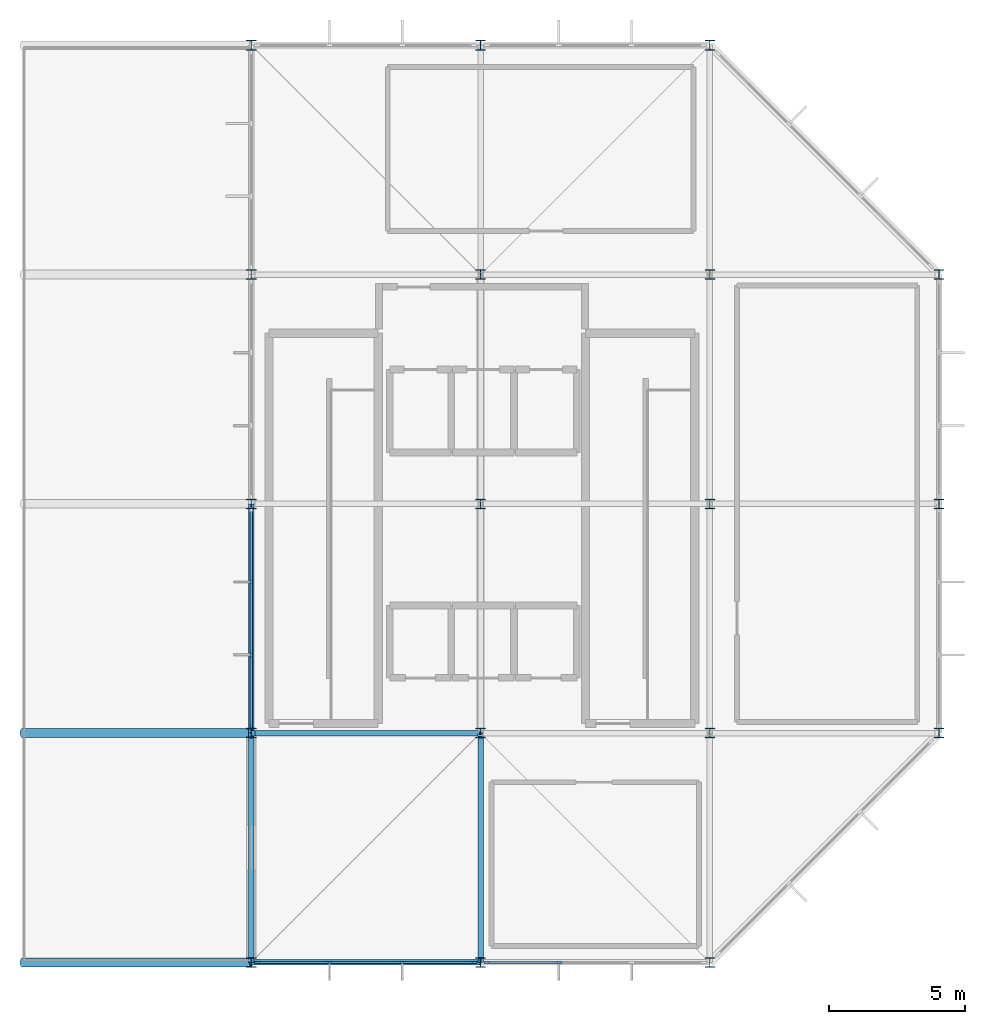
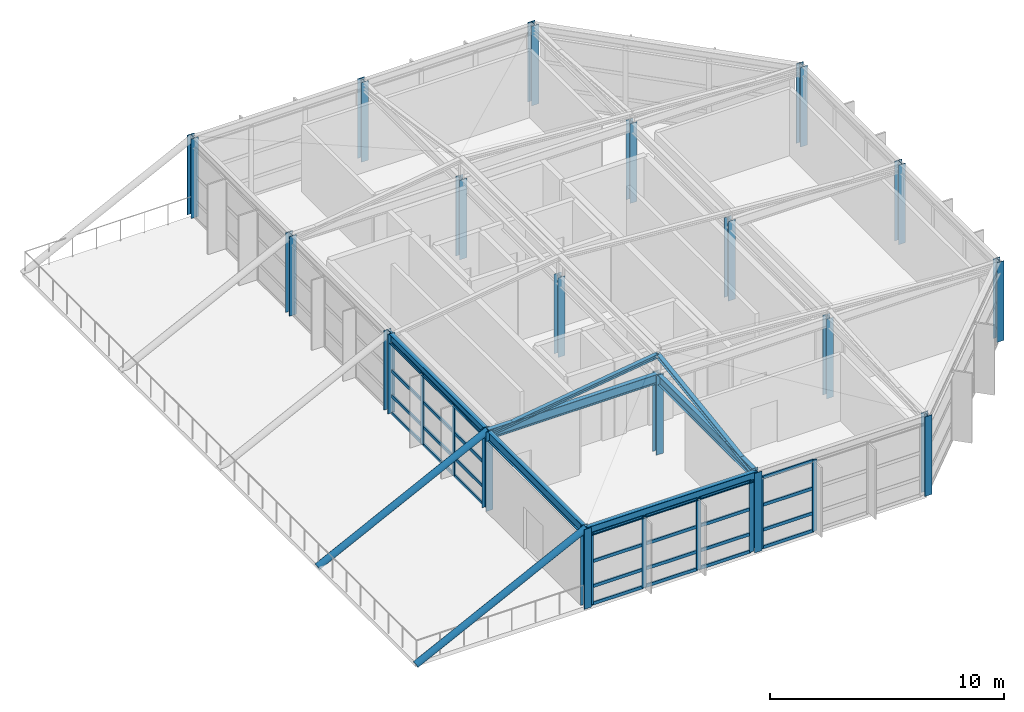
# One storey, part 1 of 9: 41 members, 18 columns, 5 beams, 3 elements without a shape of their own.
"""IFC4 building model written with IfcOpenShell, lengths in metres."""

from ifc_helpers import new_model, si_unit, direction, frame, origin, origin_2d, place, context, subcontext, project, spatial, rectangle, hollow_circle, i_section, extrude, material, material_profile, profile_set, type_object, element, aggregate, save


model = new_model("IFC4")

# Units and contexts
model_context = context("Model", 3, precision=1e-05, world=origin(), true_north=direction((0.0, 1.0)))
body_context = subcontext(model_context, "Body", "Model", "MODEL_VIEW")
ifc_project = project(units=[si_unit("LENGTHUNIT", "METRE"), si_unit("AREAUNIT", "SQUARE_METRE"), si_unit("VOLUMEUNIT", "CUBIC_METRE"), si_unit("PLANEANGLEUNIT", "RADIAN"), si_unit("MASSUNIT", "GRAM", prefix="KILO")], contexts=[model_context])

# Site, building, storey
site_placement = place(None, origin())
site = spatial("IfcSite", under=ifc_project, at=site_placement, CompositionType="ELEMENT")
building_placement = place(site_placement, origin())
building = spatial("IfcBuilding", under=site, at=building_placement, Name="Xuanlan Plaza Opera House", CompositionType="ELEMENT")
storey_placement = place(building_placement, frame((0.0, 0.0, 74.39990234375)))
storey = spatial("IfcBuildingStorey", under=building, at=storey_placement, Name="ROOF", CompositionType="ELEMENT", Elevation=74.39990234375)

# Columns
ifc_material_1 = material(Name="Steel Q355B", Category="steel")
ifc_material_profile_1 = material_profile(ifc_material_1, i_section(OverallWidth=0.35009765625, OverallDepth=0.35009765625, WebThickness=0.011962890625, FlangeThickness=0.01904296875, FilletRadius=0.02001953125, at=origin_2d()), Name="HW 350x350x12x19")
ifc_profile_set_1 = profile_set([ifc_material_profile_1], Name="Steel Q355B")
column_type = type_object("IfcColumnType", Name="STR-COL-C-15", PredefinedType="COLUMN", material=ifc_profile_set_1)
for number, where, z_axis, x_axis, name in (
    (1, (134.39990234375, 42.0, 0.0), (0.0, 0.0, 1.0), (1.0, 0.0, 0.0), "Crown Sky-Lantern Column ROOF 17-F"),
    (2, (134.39990234375, 50.39990234375, 0.0), (0.0, 0.0, 1.0), (1.0, 0.0, 0.0), "Crown Sky-Lantern Column ROOF 17-G"),
    (3, (134.39990234375, 58.800048828125, 0.0), (0.0, 0.0, 1.0), (1.0, 0.0, 0.0), "Crown Sky-Lantern Column ROOF 17-H"),
    (4, (134.39990234375, 67.199951171875, 0.0), (0.0, 0.0, 1.0), (1.0, 0.0, 0.0), "Crown Sky-Lantern Column ROOF 17-I"),
    (5, (134.39990234375, 75.60009765625, 0.0), (0.0, 0.0, 1.0), (1.0, 0.0, 0.0), "Crown Sky-Lantern Column ROOF 17-J"),
    (6, (142.800048828125, 42.0, 0.0), (0.0, 0.0, 1.0), (1.0, 0.0, 0.0), "Crown Sky-Lantern Column ROOF 18-F"),
    (7, (142.800048828125, 50.39990234375, 0.0), (0.0, 0.0, 1.0), (1.0, 0.0, 0.0), "Crown Sky-Lantern Column ROOF 18-G"),
    (8, (142.800048828125, 58.800048828125, 0.0), (0.0, 0.0, 1.0), (1.0, 0.0, 0.0), "Crown Sky-Lantern Column ROOF 18-H"),
    (9, (142.800048828125, 67.199951171875, 0.0), (0.0, 0.0, 1.0), (1.0, 0.0, 0.0), "Crown Sky-Lantern Column ROOF 18-I"),
    (10, (142.800048828125, 75.60009765625, 0.0), (0.0, 0.0, 1.0), (1.0, 0.0, 0.0), "Crown Sky-Lantern Column ROOF 18-J"),
    (11, (151.199951171875, 42.0, 0.0), (0.0, 0.0, 1.0), (1.0, 0.0, 0.0), "Crown Sky-Lantern Column ROOF 19-F"),
    (12, (151.199951171875, 50.39990234375, 0.0), (0.0, 0.0, 1.0), (1.0, 0.0, 0.0), "Crown Sky-Lantern Column ROOF 19-G"),
    (13, (151.199951171875, 58.800048828125, 0.0), (0.0, 0.0, 1.0), (1.0, 0.0, 0.0), "Crown Sky-Lantern Column ROOF 19-H"),
    (14, (151.199951171875, 67.199951171875, 0.0), (0.0, 0.0, 1.0), (1.0, 0.0, 0.0), "Crown Sky-Lantern Column ROOF 19-I"),
    (15, (151.199951171875, 75.60009765625, 0.0), (0.0, 0.0, 1.0), (1.0, 0.0, 0.0), "Crown Sky-Lantern Column ROOF 19-J"),
    (16, (159.60009765625, 50.39990234375, 0.0), (0.0, 0.0, 1.0), (1.0, 0.0, 0.0), "Crown Sky-Lantern Column ROOF 20-G"),
    (17, (159.60009765625, 58.800048828125, 0.0), (0.0, 0.0, 1.0), (1.0, 0.0, 0.0), "Crown Sky-Lantern Column ROOF 20-H"),
    (18, (159.60009765625, 67.199951171875, 0.0), (0.0, 0.0, 1.0), (1.0, 0.0, 0.0), "Crown Sky-Lantern Column ROOF 20-I"),
):
    element("IfcColumn", number, at=place(storey_placement, frame(where, z_axis=z_axis, x_axis=x_axis)), inside=storey, type_object=column_type, Name=name, PredefinedType="COLUMN", context=body_context, shape_type="SweptSolid", body=[
        extrude(i_section(OverallWidth=0.35009765625, OverallDepth=0.35009765625, WebThickness=0.011962890625, FlangeThickness=0.01904296875, FilletRadius=0.02001953125, at=origin_2d()), origin(), (0.0, 0.0, 1.0), 4.150146484375),
    ])

# Curtain wall, members
ifc_material_2 = material(Name="Anodised Aluminium 6063-T6 and Low-E Glass", Category="aluminium")
curtain_wall_type_1 = type_object("IfcCurtainWallType", Name="ENV-CW-CW-03", PredefinedType="USERDEFINED", material=ifc_material_2)
curtain_wall_1_placement = place(storey_placement, origin())
curtain_wall_1 = element("IfcCurtainWall", 19, at=curtain_wall_1_placement, inside=storey, type_object=curtain_wall_type_1, Name="Unitised Curtain Wall ROOF-001", ObjectType="UNITISED CURTAIN WALL", PredefinedType="USERDEFINED")
ifc_material_3 = material(Name="Anodised Aluminium 6063-T6", Category="aluminium")
ifc_material_profile_2 = material_profile(ifc_material_3, rectangle(XDim=0.080078125, YDim=0.219970703125, at=origin_2d()), Name="ALU-M 80x220")
ifc_profile_set_2 = profile_set([ifc_material_profile_2], Name="Anodised Aluminium 6063-T6")
member_type_1 = type_object("IfcMemberType", Name="ENV-CWM-04", PredefinedType="MULLION", material=ifc_profile_set_2)
member_1_placement = place(storey_placement, frame((134.635009765625, 42.0, 0.0), z_axis=(0.0, 0.0, 1.0), x_axis=(0.0, 1.0, 0.0)))
member_1 = element("IfcMember", 20, at=member_1_placement, type_object=member_type_1, Name="CW-03 mullion 1", PredefinedType="MULLION", context=body_context, shape_type="SweptSolid", body=[
    extrude(rectangle(XDim=0.080078125, YDim=0.219970703125, at=origin_2d()), origin(), (0.0, 0.0, 1.0), 3.72021484375),
])
member_2_placement = place(storey_placement, frame((137.264892578125, 42.0, 0.0), z_axis=(0.0, 0.0, 1.0), x_axis=(0.0, 1.0, 0.0)))
member_2 = element("IfcMember", 21, at=member_2_placement, type_object=member_type_1, Name="CW-03 mullion 2", PredefinedType="MULLION", context=body_context, shape_type="SweptSolid", body=[
    extrude(rectangle(XDim=0.080078125, YDim=0.219970703125, at=origin_2d()), origin(), (0.0, 0.0, 1.0), 3.72021484375),
])
member_3_placement = place(storey_placement, frame((139.93505859375, 42.0, 0.0), z_axis=(0.0, 0.0, 1.0), x_axis=(0.0, 1.0, 0.0)))
member_3 = element("IfcMember", 22, at=member_3_placement, type_object=member_type_1, Name="CW-03 mullion 3", PredefinedType="MULLION", context=body_context, shape_type="SweptSolid", body=[
    extrude(rectangle(XDim=0.080078125, YDim=0.219970703125, at=origin_2d()), origin(), (0.0, 0.0, 1.0), 3.72021484375),
])
member_4_placement = place(storey_placement, frame((142.56494140625, 42.0, 0.0), z_axis=(0.0, 0.0, 1.0), x_axis=(0.0, 1.0, 0.0)))
member_4 = element("IfcMember", 23, at=member_4_placement, type_object=member_type_1, Name="CW-03 mullion 4", PredefinedType="MULLION", context=body_context, shape_type="SweptSolid", body=[
    extrude(rectangle(XDim=0.080078125, YDim=0.219970703125, at=origin_2d()), origin(), (0.0, 0.0, 1.0), 3.72021484375),
])

curtain_wall_type_2 = type_object("IfcCurtainWallType", Name="ENV-CW-CW-04", PredefinedType="USERDEFINED", material=ifc_material_2)
curtain_wall_2_placement = place(storey_placement, origin())
curtain_wall_2 = element("IfcCurtainWall", 24, at=curtain_wall_2_placement, inside=storey, type_object=curtain_wall_type_2, Name="Unitised Curtain Wall ROOF-002", ObjectType="UNITISED CURTAIN WALL", PredefinedType="USERDEFINED")
member_5_placement = place(storey_placement, frame((143.034912109375, 42.0, 0.0), z_axis=(0.0, 0.0, 1.0), x_axis=(0.0, 1.0, 0.0)))
member_5 = element("IfcMember", 25, at=member_5_placement, type_object=member_type_1, Name="CW-04 mullion 1", PredefinedType="MULLION", context=body_context, shape_type="SweptSolid", body=[
    extrude(rectangle(XDim=0.080078125, YDim=0.219970703125, at=origin_2d()), origin(), (0.0, 0.0, 1.0), 3.72021484375),
])
member_6_placement = place(storey_placement, frame((145.6650390625, 42.0, 0.0), z_axis=(0.0, 0.0, 1.0), x_axis=(0.0, 1.0, 0.0)))
member_6 = element("IfcMember", 26, at=member_6_placement, type_object=member_type_1, Name="CW-04 mullion 2", PredefinedType="MULLION", context=body_context, shape_type="SweptSolid", body=[
    extrude(rectangle(XDim=0.080078125, YDim=0.219970703125, at=origin_2d()), origin(), (0.0, 0.0, 1.0), 3.72021484375),
])

curtain_wall_3_placement = place(storey_placement, origin())
curtain_wall_3 = element("IfcCurtainWall", 27, at=curtain_wall_3_placement, inside=storey, type_object=curtain_wall_type_1, Name="Unitised Curtain Wall ROOF-011", ObjectType="UNITISED CURTAIN WALL", PredefinedType="USERDEFINED")
member_7_placement = place(storey_placement, frame((134.39990234375, 55.93505859375, 0.0), z_axis=(0.0, 0.0, 1.0), x_axis=(1.0, 0.0, 0.0)))
member_7 = element("IfcMember", 28, at=member_7_placement, type_object=member_type_1, Name="CW-03 mullion 2", PredefinedType="MULLION", context=body_context, shape_type="SweptSolid", body=[
    extrude(rectangle(XDim=0.080078125, YDim=0.219970703125, at=origin_2d()), origin(), (0.0, 0.0, 1.0), 3.72021484375),
])
member_8_placement = place(storey_placement, frame((134.39990234375, 53.264892578125, 0.0), z_axis=(0.0, 0.0, 1.0), x_axis=(1.0, 0.0, 0.0)))
member_8 = element("IfcMember", 29, at=member_8_placement, type_object=member_type_1, Name="CW-03 mullion 3", PredefinedType="MULLION", context=body_context, shape_type="SweptSolid", body=[
    extrude(rectangle(XDim=0.080078125, YDim=0.219970703125, at=origin_2d()), origin(), (0.0, 0.0, 1.0), 3.72021484375),
])
member_9_placement = place(storey_placement, frame((134.39990234375, 50.635009765625, 0.0), z_axis=(0.0, 0.0, 1.0), x_axis=(1.0, 0.0, 0.0)))
member_9 = element("IfcMember", 30, at=member_9_placement, type_object=member_type_1, Name="CW-03 mullion 4", PredefinedType="MULLION", context=body_context, shape_type="SweptSolid", body=[
    extrude(rectangle(XDim=0.080078125, YDim=0.219970703125, at=origin_2d()), origin(), (0.0, 0.0, 1.0), 3.72021484375),
])

# Member
ifc_material_profile_3 = material_profile(ifc_material_3, rectangle(XDim=0.080078125, YDim=0.1650390625, at=origin_2d()), Name="ALU-T 80x165")
ifc_profile_set_3 = profile_set([ifc_material_profile_3], Name="Anodised Aluminium 6063-T6")
member_type_2 = type_object("IfcMemberType", Name="ENV-CWT-04", PredefinedType="USERDEFINED", material=ifc_profile_set_3)
member_10_placement = place(storey_placement, frame((134.675048828125, 42.0, 0.0400390625), z_axis=(1.0, 0.0, 0.0), x_axis=(0.0, 1.0, 0.0)))
member_10 = element("IfcMember", 31, at=member_10_placement, type_object=member_type_2, Name="CW-03 transom 1.1", ObjectType="TRANSOM", PredefinedType="USERDEFINED", context=body_context, shape_type="SweptSolid", body=[
    extrude(rectangle(XDim=0.080078125, YDim=0.1650390625, at=origin_2d()), origin(), (0.0, 0.0, 1.0), 2.550048828125),
])

member_11_placement = place(storey_placement, frame((134.675048828125, 42.0, 0.9501953125), z_axis=(1.0, 0.0, 0.0), x_axis=(0.0, 1.0, 0.0)))
member_11 = element("IfcMember", 32, at=member_11_placement, type_object=member_type_2, Name="CW-03 transom 1.2", ObjectType="TRANSOM", PredefinedType="USERDEFINED", context=body_context, shape_type="SweptSolid", body=[
    extrude(rectangle(XDim=0.080078125, YDim=0.1650390625, at=origin_2d()), origin(), (0.0, 0.0, 1.0), 2.550048828125),
])

member_12_placement = place(storey_placement, frame((134.675048828125, 42.0, 2.25), z_axis=(1.0, 0.0, 0.0), x_axis=(0.0, 1.0, 0.0)))
member_12 = element("IfcMember", 33, at=member_12_placement, type_object=member_type_2, Name="CW-03 transom 1.3", ObjectType="TRANSOM", PredefinedType="USERDEFINED", context=body_context, shape_type="SweptSolid", body=[
    extrude(rectangle(XDim=0.080078125, YDim=0.1650390625, at=origin_2d()), origin(), (0.0, 0.0, 1.0), 2.550048828125),
])

member_13_placement = place(storey_placement, frame((134.675048828125, 42.0, 3.68017578125), z_axis=(1.0, 0.0, 0.0), x_axis=(0.0, 1.0, 0.0)))
member_13 = element("IfcMember", 34, at=member_13_placement, type_object=member_type_2, Name="CW-03 transom 1.4", ObjectType="TRANSOM", PredefinedType="USERDEFINED", context=body_context, shape_type="SweptSolid", body=[
    extrude(rectangle(XDim=0.080078125, YDim=0.1650390625, at=origin_2d()), origin(), (0.0, 0.0, 1.0), 2.550048828125),
])

member_14_placement = place(storey_placement, frame((137.304931640625, 42.0, 0.0400390625), z_axis=(1.0, 0.0, 0.0), x_axis=(0.0, 1.0, 0.0)))
member_14 = element("IfcMember", 35, at=member_14_placement, type_object=member_type_2, Name="CW-03 transom 2.1", ObjectType="TRANSOM", PredefinedType="USERDEFINED", context=body_context, shape_type="SweptSolid", body=[
    extrude(rectangle(XDim=0.080078125, YDim=0.1650390625, at=origin_2d()), origin(), (0.0, 0.0, 1.0), 2.590087890625),
])

member_15_placement = place(storey_placement, frame((137.304931640625, 42.0, 0.9501953125), z_axis=(1.0, 0.0, 0.0), x_axis=(0.0, 1.0, 0.0)))
member_15 = element("IfcMember", 36, at=member_15_placement, type_object=member_type_2, Name="CW-03 transom 2.2", ObjectType="TRANSOM", PredefinedType="USERDEFINED", context=body_context, shape_type="SweptSolid", body=[
    extrude(rectangle(XDim=0.080078125, YDim=0.1650390625, at=origin_2d()), origin(), (0.0, 0.0, 1.0), 2.590087890625),
])

member_16_placement = place(storey_placement, frame((137.304931640625, 42.0, 2.25), z_axis=(1.0, 0.0, 0.0), x_axis=(0.0, 1.0, 0.0)))
member_16 = element("IfcMember", 37, at=member_16_placement, type_object=member_type_2, Name="CW-03 transom 2.3", ObjectType="TRANSOM", PredefinedType="USERDEFINED", context=body_context, shape_type="SweptSolid", body=[
    extrude(rectangle(XDim=0.080078125, YDim=0.1650390625, at=origin_2d()), origin(), (0.0, 0.0, 1.0), 2.590087890625),
])

member_17_placement = place(storey_placement, frame((137.304931640625, 42.0, 3.68017578125), z_axis=(1.0, 0.0, 0.0), x_axis=(0.0, 1.0, 0.0)))
member_17 = element("IfcMember", 38, at=member_17_placement, type_object=member_type_2, Name="CW-03 transom 2.4", ObjectType="TRANSOM", PredefinedType="USERDEFINED", context=body_context, shape_type="SweptSolid", body=[
    extrude(rectangle(XDim=0.080078125, YDim=0.1650390625, at=origin_2d()), origin(), (0.0, 0.0, 1.0), 2.590087890625),
])

member_18_placement = place(storey_placement, frame((139.97509765625, 42.0, 0.0400390625), z_axis=(1.0, 0.0, 0.0), x_axis=(0.0, 1.0, 0.0)))
member_18 = element("IfcMember", 39, at=member_18_placement, type_object=member_type_2, Name="CW-03 transom 3.1", ObjectType="TRANSOM", PredefinedType="USERDEFINED", context=body_context, shape_type="SweptSolid", body=[
    extrude(rectangle(XDim=0.080078125, YDim=0.1650390625, at=origin_2d()), origin(), (0.0, 0.0, 1.0), 2.5498046875),
])

member_19_placement = place(storey_placement, frame((139.97509765625, 42.0, 0.9501953125), z_axis=(1.0, 0.0, 0.0), x_axis=(0.0, 1.0, 0.0)))
member_19 = element("IfcMember", 40, at=member_19_placement, type_object=member_type_2, Name="CW-03 transom 3.2", ObjectType="TRANSOM", PredefinedType="USERDEFINED", context=body_context, shape_type="SweptSolid", body=[
    extrude(rectangle(XDim=0.080078125, YDim=0.1650390625, at=origin_2d()), origin(), (0.0, 0.0, 1.0), 2.5498046875),
])

member_20_placement = place(storey_placement, frame((139.97509765625, 42.0, 2.25), z_axis=(1.0, 0.0, 0.0), x_axis=(0.0, 1.0, 0.0)))
member_20 = element("IfcMember", 41, at=member_20_placement, type_object=member_type_2, Name="CW-03 transom 3.3", ObjectType="TRANSOM", PredefinedType="USERDEFINED", context=body_context, shape_type="SweptSolid", body=[
    extrude(rectangle(XDim=0.080078125, YDim=0.1650390625, at=origin_2d()), origin(), (0.0, 0.0, 1.0), 2.5498046875),
])

member_21_placement = place(storey_placement, frame((139.97509765625, 42.0, 3.68017578125), z_axis=(1.0, 0.0, 0.0), x_axis=(0.0, 1.0, 0.0)))
member_21 = element("IfcMember", 42, at=member_21_placement, type_object=member_type_2, Name="CW-03 transom 3.4", ObjectType="TRANSOM", PredefinedType="USERDEFINED", context=body_context, shape_type="SweptSolid", body=[
    extrude(rectangle(XDim=0.080078125, YDim=0.1650390625, at=origin_2d()), origin(), (0.0, 0.0, 1.0), 2.5498046875),
])

aggregate(curtain_wall_1, [member_1, member_2, member_3, member_4, member_10, member_11, member_12, member_13, member_14, member_15, member_16, member_17, member_18, member_19, member_20, member_21])

member_22_placement = place(storey_placement, frame((143.074951171875, 42.0, 0.0400390625), z_axis=(1.0, 0.0, 0.0), x_axis=(0.0, 1.0, 0.0)))
member_22 = element("IfcMember", 43, at=member_22_placement, type_object=member_type_2, Name="CW-04 transom 1.1", ObjectType="TRANSOM", PredefinedType="USERDEFINED", context=body_context, shape_type="SweptSolid", body=[
    extrude(rectangle(XDim=0.080078125, YDim=0.1650390625, at=origin_2d()), origin(), (0.0, 0.0, 1.0), 2.550048828125),
])

member_23_placement = place(storey_placement, frame((143.074951171875, 42.0, 0.9501953125), z_axis=(1.0, 0.0, 0.0), x_axis=(0.0, 1.0, 0.0)))
member_23 = element("IfcMember", 44, at=member_23_placement, type_object=member_type_2, Name="CW-04 transom 1.2", ObjectType="TRANSOM", PredefinedType="USERDEFINED", context=body_context, shape_type="SweptSolid", body=[
    extrude(rectangle(XDim=0.080078125, YDim=0.1650390625, at=origin_2d()), origin(), (0.0, 0.0, 1.0), 2.550048828125),
])

member_24_placement = place(storey_placement, frame((143.074951171875, 42.0, 2.25), z_axis=(1.0, 0.0, 0.0), x_axis=(0.0, 1.0, 0.0)))
member_24 = element("IfcMember", 45, at=member_24_placement, type_object=member_type_2, Name="CW-04 transom 1.3", ObjectType="TRANSOM", PredefinedType="USERDEFINED", context=body_context, shape_type="SweptSolid", body=[
    extrude(rectangle(XDim=0.080078125, YDim=0.1650390625, at=origin_2d()), origin(), (0.0, 0.0, 1.0), 2.550048828125),
])

member_25_placement = place(storey_placement, frame((143.074951171875, 42.0, 3.68017578125), z_axis=(1.0, 0.0, 0.0), x_axis=(0.0, 1.0, 0.0)))
member_25 = element("IfcMember", 46, at=member_25_placement, type_object=member_type_2, Name="CW-04 transom 1.4", ObjectType="TRANSOM", PredefinedType="USERDEFINED", context=body_context, shape_type="SweptSolid", body=[
    extrude(rectangle(XDim=0.080078125, YDim=0.1650390625, at=origin_2d()), origin(), (0.0, 0.0, 1.0), 2.550048828125),
])

aggregate(curtain_wall_2, [member_5, member_6, member_22, member_23, member_24, member_25])

member_26_placement = place(storey_placement, frame((134.39990234375, 58.52490234375, 0.0400390625), z_axis=(0.0, -1.0, 0.0), x_axis=(1.0, 0.0, 0.0)))
member_26 = element("IfcMember", 47, at=member_26_placement, type_object=member_type_2, Name="CW-03 transom 1.1", ObjectType="TRANSOM", PredefinedType="USERDEFINED", context=body_context, shape_type="SweptSolid", body=[
    extrude(rectangle(XDim=0.080078125, YDim=0.1650390625, at=origin_2d()), origin(), (0.0, 0.0, 1.0), 2.5498046875),
])

member_27_placement = place(storey_placement, frame((134.39990234375, 58.52490234375, 0.9501953125), z_axis=(0.0, -1.0, 0.0), x_axis=(1.0, 0.0, 0.0)))
member_27 = element("IfcMember", 48, at=member_27_placement, type_object=member_type_2, Name="CW-03 transom 1.2", ObjectType="TRANSOM", PredefinedType="USERDEFINED", context=body_context, shape_type="SweptSolid", body=[
    extrude(rectangle(XDim=0.080078125, YDim=0.1650390625, at=origin_2d()), origin(), (0.0, 0.0, 1.0), 2.5498046875),
])

member_28_placement = place(storey_placement, frame((134.39990234375, 58.52490234375, 2.25), z_axis=(0.0, -1.0, 0.0), x_axis=(1.0, 0.0, 0.0)))
member_28 = element("IfcMember", 49, at=member_28_placement, type_object=member_type_2, Name="CW-03 transom 1.3", ObjectType="TRANSOM", PredefinedType="USERDEFINED", context=body_context, shape_type="SweptSolid", body=[
    extrude(rectangle(XDim=0.080078125, YDim=0.1650390625, at=origin_2d()), origin(), (0.0, 0.0, 1.0), 2.5498046875),
])

member_29_placement = place(storey_placement, frame((134.39990234375, 58.52490234375, 3.68017578125), z_axis=(0.0, -1.0, 0.0), x_axis=(1.0, 0.0, 0.0)))
member_29 = element("IfcMember", 50, at=member_29_placement, type_object=member_type_2, Name="CW-03 transom 1.4", ObjectType="TRANSOM", PredefinedType="USERDEFINED", context=body_context, shape_type="SweptSolid", body=[
    extrude(rectangle(XDim=0.080078125, YDim=0.1650390625, at=origin_2d()), origin(), (0.0, 0.0, 1.0), 2.5498046875),
])

member_30_placement = place(storey_placement, frame((134.39990234375, 55.89501953125, 0.0400390625), z_axis=(0.0, -1.0, 0.0), x_axis=(1.0, 0.0, 0.0)))
member_30 = element("IfcMember", 51, at=member_30_placement, type_object=member_type_2, Name="CW-03 transom 2.1", ObjectType="TRANSOM", PredefinedType="USERDEFINED", context=body_context, shape_type="SweptSolid", body=[
    extrude(rectangle(XDim=0.080078125, YDim=0.1650390625, at=origin_2d()), origin(), (0.0, 0.0, 1.0), 2.590087890625),
])

member_31_placement = place(storey_placement, frame((134.39990234375, 55.89501953125, 0.9501953125), z_axis=(0.0, -1.0, 0.0), x_axis=(1.0, 0.0, 0.0)))
member_31 = element("IfcMember", 52, at=member_31_placement, type_object=member_type_2, Name="CW-03 transom 2.2", ObjectType="TRANSOM", PredefinedType="USERDEFINED", context=body_context, shape_type="SweptSolid", body=[
    extrude(rectangle(XDim=0.080078125, YDim=0.1650390625, at=origin_2d()), origin(), (0.0, 0.0, 1.0), 2.590087890625),
])

member_32_placement = place(storey_placement, frame((134.39990234375, 55.89501953125, 2.25), z_axis=(0.0, -1.0, 0.0), x_axis=(1.0, 0.0, 0.0)))
member_32 = element("IfcMember", 53, at=member_32_placement, type_object=member_type_2, Name="CW-03 transom 2.3", ObjectType="TRANSOM", PredefinedType="USERDEFINED", context=body_context, shape_type="SweptSolid", body=[
    extrude(rectangle(XDim=0.080078125, YDim=0.1650390625, at=origin_2d()), origin(), (0.0, 0.0, 1.0), 2.590087890625),
])

member_33_placement = place(storey_placement, frame((134.39990234375, 55.89501953125, 3.68017578125), z_axis=(0.0, -1.0, 0.0), x_axis=(1.0, 0.0, 0.0)))
member_33 = element("IfcMember", 54, at=member_33_placement, type_object=member_type_2, Name="CW-03 transom 2.4", ObjectType="TRANSOM", PredefinedType="USERDEFINED", context=body_context, shape_type="SweptSolid", body=[
    extrude(rectangle(XDim=0.080078125, YDim=0.1650390625, at=origin_2d()), origin(), (0.0, 0.0, 1.0), 2.590087890625),
])

member_34_placement = place(storey_placement, frame((134.39990234375, 53.22509765625, 0.0400390625), z_axis=(0.0, -1.0, 0.0), x_axis=(1.0, 0.0, 0.0)))
member_34 = element("IfcMember", 55, at=member_34_placement, type_object=member_type_2, Name="CW-03 transom 3.1", ObjectType="TRANSOM", PredefinedType="USERDEFINED", context=body_context, shape_type="SweptSolid", body=[
    extrude(rectangle(XDim=0.080078125, YDim=0.1650390625, at=origin_2d()), origin(), (0.0, 0.0, 1.0), 2.550048828125),
])

member_35_placement = place(storey_placement, frame((134.39990234375, 53.22509765625, 0.9501953125), z_axis=(0.0, -1.0, 0.0), x_axis=(1.0, 0.0, 0.0)))
member_35 = element("IfcMember", 56, at=member_35_placement, type_object=member_type_2, Name="CW-03 transom 3.2", ObjectType="TRANSOM", PredefinedType="USERDEFINED", context=body_context, shape_type="SweptSolid", body=[
    extrude(rectangle(XDim=0.080078125, YDim=0.1650390625, at=origin_2d()), origin(), (0.0, 0.0, 1.0), 2.550048828125),
])

member_36_placement = place(storey_placement, frame((134.39990234375, 53.22509765625, 2.25), z_axis=(0.0, -1.0, 0.0), x_axis=(1.0, 0.0, 0.0)))
member_36 = element("IfcMember", 57, at=member_36_placement, type_object=member_type_2, Name="CW-03 transom 3.3", ObjectType="TRANSOM", PredefinedType="USERDEFINED", context=body_context, shape_type="SweptSolid", body=[
    extrude(rectangle(XDim=0.080078125, YDim=0.1650390625, at=origin_2d()), origin(), (0.0, 0.0, 1.0), 2.550048828125),
])

member_37_placement = place(storey_placement, frame((134.39990234375, 53.22509765625, 3.68017578125), z_axis=(0.0, -1.0, 0.0), x_axis=(1.0, 0.0, 0.0)))
member_37 = element("IfcMember", 58, at=member_37_placement, type_object=member_type_2, Name="CW-03 transom 3.4", ObjectType="TRANSOM", PredefinedType="USERDEFINED", context=body_context, shape_type="SweptSolid", body=[
    extrude(rectangle(XDim=0.080078125, YDim=0.1650390625, at=origin_2d()), origin(), (0.0, 0.0, 1.0), 2.550048828125),
])

aggregate(curtain_wall_3, [member_7, member_8, member_9, member_26, member_27, member_28, member_29, member_30, member_31, member_32, member_33, member_34, member_35, member_36, member_37])

# Beams
ifc_material_profile_4 = material_profile(ifc_material_1, i_section(OverallWidth=0.199951171875, OverallDepth=0.5, WebThickness=0.010009765625, FlangeThickness=0.01611328125, FilletRadius=0.02001953125, at=origin_2d()), Name="HN 500x200x10x16")
ifc_profile_set_4 = profile_set([ifc_material_profile_4], Name="Steel Q355B")
beam_type = type_object("IfcBeamType", Name="STR-BM-SB-05", PredefinedType="BEAM", material=ifc_profile_set_4)
for number, where, z_axis, x_axis, name in (
    (59, (134.39990234375, 42.0, 3.900146484375), (1.0, 0.0, 0.0), (0.0, 1.0, 0.0), "Crown Sky-Lantern Beam X ROOF 17-18/F"),
    (60, (134.39990234375, 50.39990234375, 3.900146484375), (1.0, 0.0, 0.0), (0.0, 1.0, 0.0), "Crown Sky-Lantern Beam X ROOF 17-18/G"),
):
    element("IfcBeam", number, at=place(storey_placement, frame(where, z_axis=z_axis, x_axis=x_axis)), inside=storey, type_object=beam_type, Name=name, PredefinedType="BEAM", context=body_context, shape_type="SweptSolid", body=[
        extrude(i_section(OverallWidth=0.199951171875, OverallDepth=0.5, WebThickness=0.010009765625, FlangeThickness=0.01611328125, FilletRadius=0.02001953125, at=origin_2d()), origin(), (0.0, 0.0, 1.0), 8.400146484375),
    ])
beam_1_placement = place(storey_placement, frame((134.39990234375, 42.0, 3.900146484375), z_axis=(0.0, 1.0, 0.0), x_axis=(-1.0, 0.0, 0.0)))
element("IfcBeam", 61, at=beam_1_placement, inside=storey, type_object=beam_type, Name="Crown Sky-Lantern Beam Y ROOF 17/F-G", PredefinedType="BEAM", context=body_context, shape_type="SweptSolid", body=[
    extrude(i_section(OverallWidth=0.199951171875, OverallDepth=0.5, WebThickness=0.010009765625, FlangeThickness=0.01611328125, FilletRadius=0.02001953125, at=origin_2d()), origin(), (0.0, 0.0, 1.0), 8.39990234375),
])
beam_2_placement = place(storey_placement, frame((134.39990234375, 50.39990234375, 3.900146484375), z_axis=(0.0, 1.0, 0.0), x_axis=(-1.0, 0.0, 0.0)))
element("IfcBeam", 62, at=beam_2_placement, inside=storey, type_object=beam_type, Name="Crown Sky-Lantern Beam Y ROOF 17/G-H", PredefinedType="BEAM", context=body_context, shape_type="SweptSolid", body=[
    extrude(i_section(OverallWidth=0.199951171875, OverallDepth=0.5, WebThickness=0.010009765625, FlangeThickness=0.01611328125, FilletRadius=0.02001953125, at=origin_2d()), origin(), (0.0, 0.0, 1.0), 8.400146484375),
])
beam_3_placement = place(storey_placement, frame((142.800048828125, 42.0, 3.900146484375), z_axis=(0.0, 1.0, 0.0), x_axis=(-1.0, 0.0, 0.0)))
element("IfcBeam", 63, at=beam_3_placement, inside=storey, type_object=beam_type, Name="Crown Sky-Lantern Beam Y ROOF 18/F-G", PredefinedType="BEAM", context=body_context, shape_type="SweptSolid", body=[
    extrude(i_section(OverallWidth=0.199951171875, OverallDepth=0.5, WebThickness=0.010009765625, FlangeThickness=0.01611328125, FilletRadius=0.02001953125, at=origin_2d()), origin(), (0.0, 0.0, 1.0), 8.39990234375),
])

# Members
ifc_material_profile_5 = material_profile(ifc_material_1, hollow_circle(Radius=0.161865234375, WallThickness=0.013916015625, at=origin_2d()), Name="CHS 323.9x14")
ifc_profile_set_5 = profile_set([ifc_material_profile_5], Name="Steel Q355B")
member_type_3 = type_object("IfcMemberType", Name="STR-MEM-BR-03", PredefinedType="BRACE", material=ifc_profile_set_5)
for number, where, z_axis, x_axis, name in (
    (64, (126.0, 42.0, -0.099853515625), (0.895279051449, 0.0, 0.445505802472), (0.0, 1.0, 0.0), "Crown West Sky-Deck Raked Portal Rib 01"),
    (65, (126.0, 50.39990234375, -0.099853515625), (0.895279051449, 0.0, 0.445505802472), (0.0, 1.0, 0.0), "Crown West Sky-Deck Raked Portal Rib 02"),
):
    element("IfcMember", number, at=place(storey_placement, frame(where, z_axis=z_axis, x_axis=x_axis)), inside=storey, type_object=member_type_3, Name=name, PredefinedType="BRACE", context=body_context, shape_type="SweptSolid", body=[
        extrude(hollow_circle(Radius=0.161865234375, WallThickness=0.013916015625, at=origin_2d()), origin(), (0.0, 0.0, 1.0), 9.38232421875),
    ])
ifc_material_profile_6 = material_profile(ifc_material_1, i_section(OverallWidth=0.199951171875, OverallDepth=0.199951171875, WebThickness=0.008056640625, FlangeThickness=0.011962890625, FilletRadius=0.012939453125, at=origin_2d()), Name="HW 200x200x8x12")
ifc_profile_set_6 = profile_set([ifc_material_profile_6], Name="Steel Q355B")
member_type_4 = type_object("IfcMemberType", Name="STR-MEM-TC-02", PredefinedType="CHORD", material=ifc_profile_set_6)
for number, where, z_axis, x_axis, name in (
    (66, (134.550048828125, 50.39990234375, 3.900146484375), (0.98992663087, 0.0, 0.141581303474), (0.0, 1.0, 0.0), "Crown Lantern Sloped Rafter 01"),
    (67, (142.800048828125, 42.14990234375, 3.900146484375), (0.0, 0.98992663087, 0.141581303474), (-1.0, 0.0, 0.0), "Crown Lantern Sloped Rafter 04"),
):
    element("IfcMember", number, at=place(storey_placement, frame(where, z_axis=z_axis, x_axis=x_axis)), inside=storey, type_object=member_type_4, Name=name, PredefinedType="CHORD", context=body_context, shape_type="SweptSolid", body=[
        extrude(i_section(OverallWidth=0.199951171875, OverallDepth=0.199951171875, WebThickness=0.008056640625, FlangeThickness=0.011962890625, FilletRadius=0.012939453125, at=origin_2d()), origin(), (0.0, 0.0, 1.0), 8.333984375),
    ])

save(model, "model.ifc")
